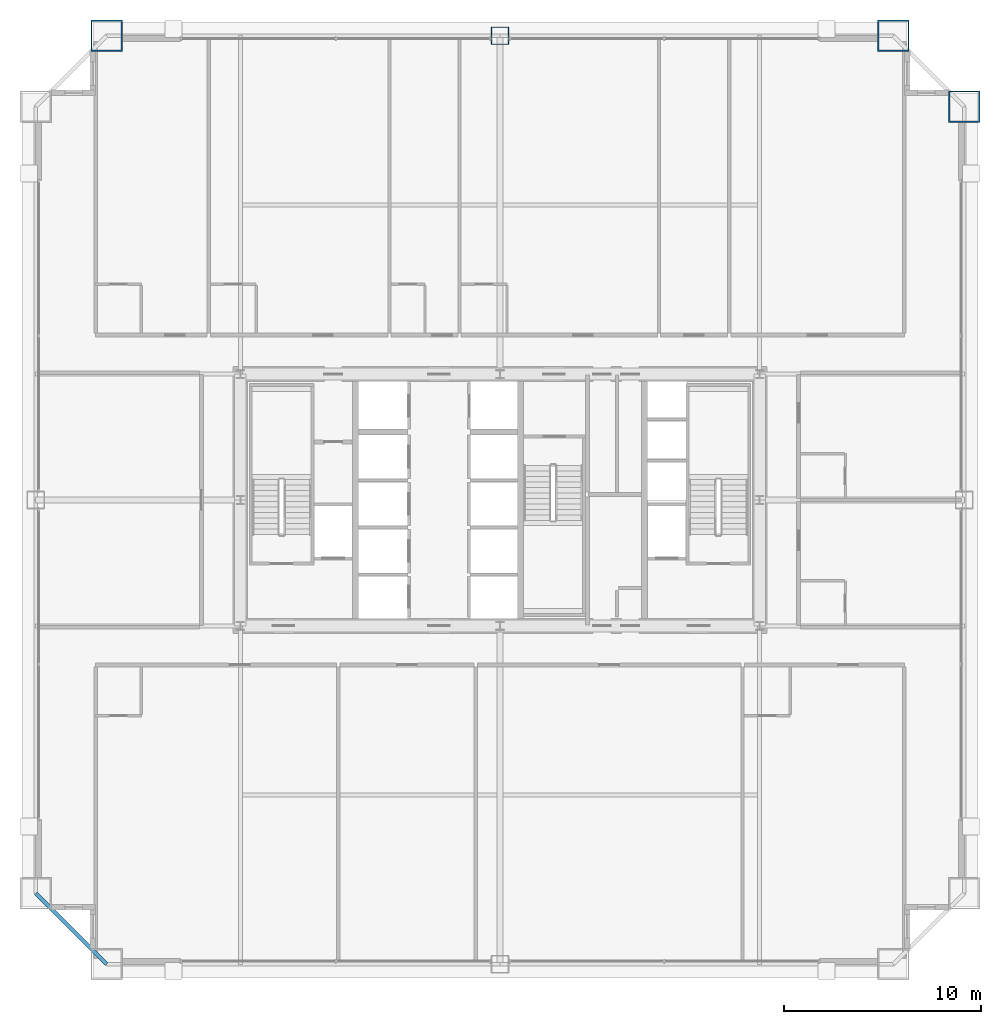
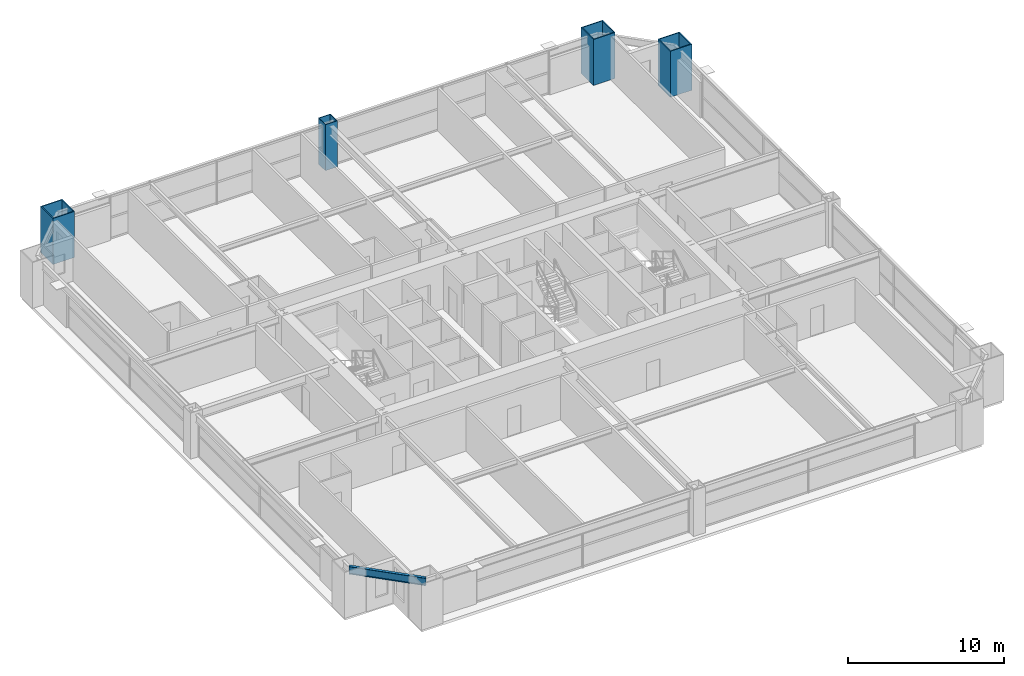
# One storey, part 2 of 38: 4 columns, 1 beam.
"""IFC4 building model written with IfcOpenShell, lengths in metres."""

from ifc_helpers import new_model, si_unit, direction, frame, origin, origin_2d, place, context, subcontext, project, spatial, hollow_rectangle, i_section, extrude, source, transform, mapped, material, material_profile, profile_set, type_object, element, save


model = new_model("IFC4")

# Units and contexts
model_context = context("Model", 3, precision=1e-05, world=origin(), true_north=direction((0.0, 1.0)))
body_context = subcontext(model_context, "Body", "Model", "MODEL_VIEW")
ifc_project = project(units=[si_unit("LENGTHUNIT", "METRE"), si_unit("AREAUNIT", "SQUARE_METRE"), si_unit("VOLUMEUNIT", "CUBIC_METRE"), si_unit("PLANEANGLEUNIT", "RADIAN"), si_unit("MASSUNIT", "GRAM", prefix="KILO"), si_unit("THERMODYNAMICTEMPERATUREUNIT", "KELVIN"), si_unit("POWERUNIT", "WATT")], contexts=[model_context])

# Site, building, storey
site_placement = place(None, origin())
site = spatial("IfcSite", under=ifc_project, at=site_placement, CompositionType="ELEMENT")
building_placement = place(site_placement, origin())
building = spatial("IfcBuilding", under=site, at=building_placement, Name="Yuzanri Waterfront Tower", CompositionType="ELEMENT")
storey_placement = place(building_placement, frame((0.0, 0.0, 111.800048828125)))
storey = spatial("IfcBuildingStorey", under=building, at=storey_placement, Name="L29", CompositionType="ELEMENT", Elevation=111.800048828125)

# Columns
ifc_material_1 = material(Name="Steel Q390GJC", Category="steel")
ifc_material_profile_1 = material_profile(ifc_material_1, hollow_rectangle(XDim=0.89990234375, YDim=0.89990234375, WallThickness=0.0419921875, at=origin_2d()), Name="RHS 900x900x42")
ifc_profile_set_1 = profile_set([ifc_material_profile_1], Name="Steel Q390GJC")
column_type_1 = type_object("IfcColumnType", Name="Frame Column Q390GJC RHS 900x900x42", PredefinedType="COLUMN", material=ifc_profile_set_1)
shared_shape_1 = source(origin(), body_context, "Body", "SweptSolid", [
    extrude(hollow_rectangle(XDim=0.89990234375, YDim=0.89990234375, WallThickness=0.0419921875, at=origin_2d()), origin(), (0.0, 0.0, 1.0), 3.599853515625),
])
column_placement = place(storey_placement, frame((37.0, 49.39990234375, 0.0), z_axis=(0.0, 0.0, 1.0), x_axis=(1.0, 0.0, 0.0)))
element("IfcColumn", 1, at=column_placement, inside=storey, type_object=column_type_1, Name="L29 Perimeter Frame Column N2", PredefinedType="COLUMN", context=body_context, shape_type="MappedRepresentation", body=[
    mapped(shared_shape_1, transform((0.0, 0.0, 0.0), scale=1.0)),
])
ifc_material_2 = material(Name="Steel Q420GJC", Category="steel")
ifc_material_profile_2 = material_profile(ifc_material_2, hollow_rectangle(XDim=1.60009765625, YDim=1.60009765625, WallThickness=0.070068359375, at=origin_2d()), Name="RHS 1600x1600x70")
ifc_profile_set_2 = profile_set([ifc_material_profile_2], Name="Steel Q420GJC")
column_type_2 = type_object("IfcColumnType", Name="Mega Column Q420GJC RHS 1600x1600x70", PredefinedType="COLUMN", material=ifc_profile_set_2)
shared_shape_2 = source(origin(), body_context, "Body", "SweptSolid", [
    extrude(hollow_rectangle(XDim=1.60009765625, YDim=1.60009765625, WallThickness=0.070068359375, at=origin_2d()), origin(), (0.0, 0.0, 1.0), 3.599853515625),
])
for number, where, z_axis, x_axis, name in (
    (2, (17.0, 49.39990234375, 0.0), (0.0, 0.0, 1.0), (1.0, 0.0, 0.0), "L29 Perimeter Mega Column N1"),
    (3, (57.0, 49.39990234375, 0.0), (0.0, 0.0, 1.0), (1.0, 0.0, 0.0), "L29 Perimeter Mega Column N3"),
    (4, (60.60009765625, 45.800048828125, 0.0), (0.0, 0.0, 1.0), (1.0, 0.0, 0.0), "L29 Perimeter Mega Column E3"),
):
    element("IfcColumn", number, at=place(storey_placement, frame(where, z_axis=z_axis, x_axis=x_axis)), inside=storey, type_object=column_type_2, Name=name, PredefinedType="COLUMN", context=body_context, shape_type="MappedRepresentation", body=[
        mapped(shared_shape_2, transform((0.0, 0.0, 0.0), scale=1.0)),
    ])

# Beam
ifc_material_3 = material(Name="Steel Q355B", Category="steel")
ifc_material_profile_3 = material_profile(ifc_material_3, i_section(OverallWidth=0.199951171875, OverallDepth=0.60009765625, WebThickness=0.010986328125, FlangeThickness=0.01708984375, at=origin_2d()), Name="HN 600x200x11x17")
ifc_profile_set_3 = profile_set([ifc_material_profile_3], Name="Steel Q355B")
beam_type = type_object("IfcBeamType", Name="Perimeter Spandrel Q355B HN 600x200", PredefinedType="SPANDREL", material=ifc_profile_set_3)
shared_shape_3 = source(origin(), body_context, "Body", "SweptSolid", [
    extrude(i_section(OverallWidth=0.199951171875, OverallDepth=0.60009765625, WebThickness=0.010986328125, FlangeThickness=0.01708984375, at=origin_2d()), origin(), (0.0, 0.0, 1.0), 5.09130859375),
])
beam_placement = place(storey_placement, frame((13.39990234375, 5.800048828125, 3.079833984375), z_axis=(0.707106781187, -0.707106781187, 0.0), x_axis=(0.707106781187, 0.707106781187, 0.0)))
element("IfcBeam", 5, at=beam_placement, inside=storey, type_object=beam_type, Name="L29 Perimeter Spandrel W1-S1", PredefinedType="SPANDREL", context=body_context, shape_type="MappedRepresentation", body=[
    mapped(shared_shape_3, transform((0.0, 0.0, 0.0), scale=1.0)),
])

save(model, "model.ifc")
